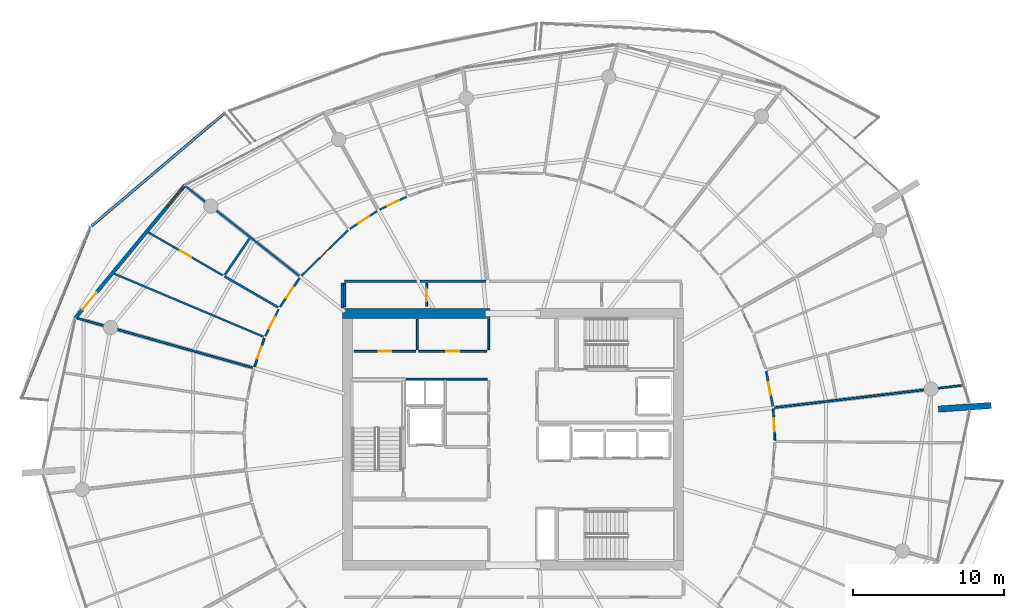
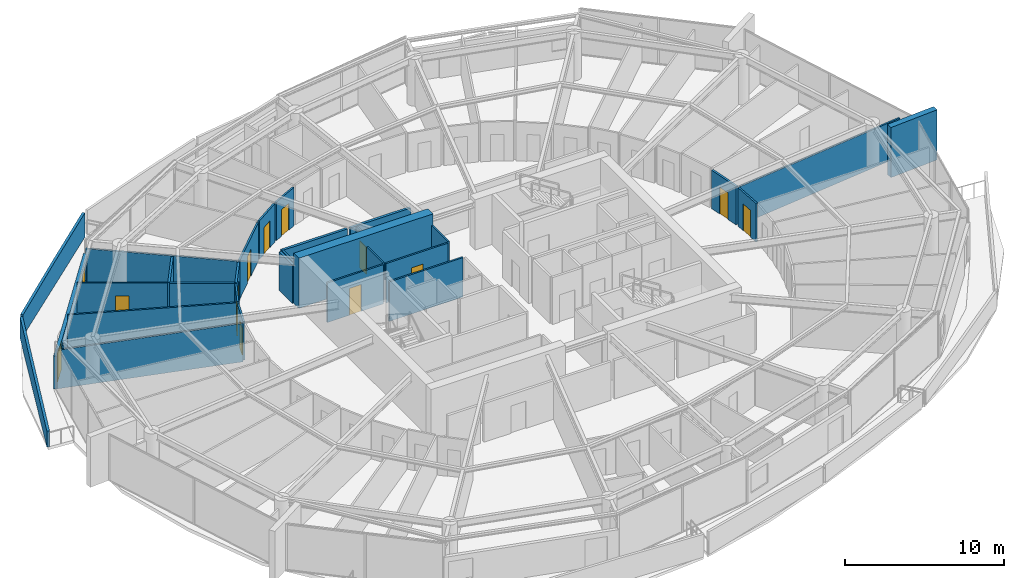
# One storey, part 22 of 31: 30 walls, 13 doors, 1 window, 14 openings.
"""IFC4 building model written with IfcOpenShell, lengths in metres."""

from ifc_helpers import new_model, si_unit, direction, frame, frame_2d, origin, place, context, subcontext, project, spatial, polyline, rectangle, outline, extrude, material, layer, layer_set, type_object, element, fill, save


model = new_model("IFC4")

# Units and contexts
model_context = context("Model", 3, precision=1e-05, world=origin(), true_north=direction((0.0, 1.0)))
body_context = subcontext(model_context, "Body", "Model", "MODEL_VIEW")
ifc_project = project(units=[si_unit("LENGTHUNIT", "METRE"), si_unit("AREAUNIT", "SQUARE_METRE"), si_unit("VOLUMEUNIT", "CUBIC_METRE"), si_unit("PLANEANGLEUNIT", "RADIAN"), si_unit("MASSUNIT", "GRAM", prefix="KILO")], contexts=[model_context])

# Site, building, storey
site_placement = place(None, origin())
site = spatial("IfcSite", under=ifc_project, at=site_placement, CompositionType="ELEMENT")
building_placement = place(site_placement, origin())
building = spatial("IfcBuilding", under=site, at=building_placement, Name="Kazma Halo Residences", CompositionType="ELEMENT")
storey_placement = place(building_placement, frame((0.0, 0.0, 271.35009765625)))
storey = spatial("IfcBuildingStorey", under=building, at=storey_placement, Name="L68", CompositionType="ELEMENT", Elevation=271.35009765625)

# Walls
ifc_material_1 = material(Name="White Concrete C50/60 Balustrade", Category="concrete")
ifc_layer_1 = layer(ifc_material_1, 0.179931640625)
ifc_layer_set_1 = layer_set([ifc_layer_1], Name="White Concrete C50/60 Balustrade")
wall_type_1 = type_object("IfcWallType", Name="WL-BAL-WAVE-180", PredefinedType="PARAPET", material=ifc_layer_set_1)
wall_1_placement = place(storey_placement, frame((29.34765625, 63.571044921875, 0.0), z_axis=(0.0, 0.0, 1.0), x_axis=(-0.762735629532, -0.646710413896, 0.0)))
element("IfcWall", 1, at=wall_1_placement, inside=storey, type_object=wall_type_1, Name="L68 white wave balustrade wall NW.1", PredefinedType="PARAPET", context=body_context, shape_type="SweptSolid", body=[
    extrude(outline(polyline([(0.0, 0.0), (11.53515625, 0.0), (11.53515625, 1.6318359375), (5.767578125, 1.7978515625), (0.0, 1.85986328125), (0.0, 0.0)])), frame((0.0, 0.08984375, 0.0), z_axis=(0.0, -1.0, 0.0), x_axis=(1.0, 0.0, 0.0)), (0.0, 0.0, 1.0), 0.179931640625),
])
wall_2_placement = place(storey_placement, frame((20.4130859375, 55.922119140625, 0.0), z_axis=(0.0, 0.0, 1.0), x_axis=(-0.374094279698, -0.927390678138, 0.0)))
element("IfcWall", 2, at=wall_2_placement, inside=storey, type_object=wall_type_1, Name="L68 white wave balustrade wall NW.2", PredefinedType="PARAPET", context=body_context, shape_type="SweptSolid", body=[
    extrude(outline(polyline([(0.0, 0.0), (12.07470703125, 0.0), (12.07470703125, 1.23291015625), (6.037353515625, 1.41796875), (0.0, 1.6318359375), (0.0, 0.0)])), frame((0.0, 0.08984375, 0.0), z_axis=(0.0, -1.0, 0.0), x_axis=(1.0, 0.0, 0.0)), (0.0, 0.0, 1.0), 0.179931640625),
])
ifc_material_2 = material(Name="Pale Concrete C60/75", Category="concrete")
ifc_layer_2 = layer(ifc_material_2, 0.419921875)
ifc_layer_set_2 = layer_set([ifc_layer_2], Name="Pale Concrete C60/75")
wall_type_2 = type_object("IfcWallType", Name="WL-BLADE-420", PredefinedType="SOLIDWALL", material=ifc_layer_set_2)
wall_3_placement = place(storey_placement, frame((76.5625, 43.997314453125, 0.0), z_axis=(0.0, 0.0, 1.0), x_axis=(0.997563824095, 0.069759707979, 0.0)))
element("IfcWall", 3, at=wall_3_placement, inside=storey, type_object=wall_type_2, Name="L68 pale concrete structural blade fin wall BW-04", PredefinedType="SOLIDWALL", context=body_context, shape_type="SweptSolid", body=[
    extrude(rectangle(XDim=3.499755859375, YDim=0.419921875, at=frame_2d((1.75, 0.0))), origin(), (0.0, 0.0, 1.0), 3.849853515625),
])
ifc_material_3 = material(Name="Concrete C60/75", Category="concrete")
ifc_layer_3 = layer(ifc_material_3, 0.64990234375)
ifc_layer_set_3 = layer_set([ifc_layer_3], Name="Concrete C60/75")
wall_type_3 = type_object("IfcWallType", Name="WL-CORE-650", PredefinedType="SHEAR", material=ifc_layer_set_3)
wall_4_placement = place(storey_placement, frame((37.14990234375, 50.324951171875, 0.0), z_axis=(0.0, 0.0, 1.0), x_axis=(1.0, 0.0, 0.0)))
element("IfcWall", 4, at=wall_4_placement, inside=storey, type_object=wall_type_3, Name="L68 central core shear wall NW", PredefinedType="SHEAR", context=body_context, shape_type="SweptSolid", body=[
    extrude(rectangle(XDim=9.75, YDim=0.64990234375, at=frame_2d((4.875, 0.0))), origin(), (0.0, 0.0, 1.0), 3.849853515625),
])
ifc_material_4 = material(Name="Acoustic Twin-Stud Gypsum")
ifc_layer_4 = layer(ifc_material_4, 0.179931640625)
ifc_layer_set_4 = layer_set([ifc_layer_4], Name="Acoustic Twin-Stud Gypsum")
wall_type_4 = type_object("IfcWallType", Name="WL-DEM-180", PredefinedType="PARTITIONING", material=ifc_layer_set_4)
wall_5_placement = place(storey_placement, frame((46.643310546875, 52.449951171875, 0.0), z_axis=(0.0, 0.0, 1.0), x_axis=(-1.0, 0.0, 0.0)))
element("IfcWall", 5, at=wall_5_placement, inside=storey, type_object=wall_type_4, Name="L68 Apartment 1 inner wall 3", PredefinedType="PARTITIONING", context=body_context, shape_type="SweptSolid", body=[
    extrude(rectangle(XDim=4.375732421875, YDim=0.179931640625, at=frame_2d((2.18798828125, 0.0))), origin(), (0.0, 0.0, 1.0), 2.956787109375),
])
wall_6_placement = place(storey_placement, frame((42.027587890625, 52.449951171875, 0.0), z_axis=(0.0, 0.0, 1.0), x_axis=(-1.0, 0.0, 0.0)))
element("IfcWall", 6, at=wall_6_placement, inside=storey, type_object=wall_type_4, Name="L68 Apartment 1 inner wall 4", PredefinedType="PARTITIONING", context=body_context, shape_type="SweptSolid", body=[
    extrude(rectangle(XDim=4.757568359375, YDim=0.179931640625, at=frame_2d((2.37890625, 0.0))), origin(), (0.0, 0.0, 1.0), 2.956787109375),
])
wall_7_placement = place(storey_placement, frame((37.14990234375, 52.330078125, 0.0), z_axis=(0.0, 0.0, 1.0), x_axis=(0.0, -1.0, 0.0)))
element("IfcWall", 7, at=wall_7_placement, inside=storey, type_object=wall_type_4, Name="L68 Apartment 1 inner wall 4", PredefinedType="PARTITIONING", context=body_context, shape_type="SweptSolid", body=[
    extrude(rectangle(XDim=1.656494140625, YDim=0.179931640625, at=frame_2d((0.828125, 0.0))), origin(), (0.0, 0.0, 1.0), 2.956787109375),
])

# Wall, openings, door, window
ifc_material_5 = material(Name="Insulated Pale-Metal Composite Wall")
ifc_layer_5 = layer(ifc_material_5, 0.239990234375)
ifc_layer_set_5 = layer_set([ifc_layer_5], Name="Insulated Pale-Metal Composite Wall")
wall_type_5 = type_object("IfcWallType", Name="WL-EXT-HOST-240", PredefinedType="SOLIDWALL", material=ifc_layer_set_5)
wall_8_placement = place(storey_placement, frame((26.7421875, 58.822021484375, 0.0), z_axis=(0.0, 0.0, 1.0), x_axis=(-0.636680093065, -0.771128043255, 0.0)))
wall_8 = element("IfcWall", 8, at=wall_8_placement, inside=storey, type_object=wall_type_5, Name="L68 exterior terrace-access wall B06", PredefinedType="SOLIDWALL", context=body_context, shape_type="SweptSolid", body=[
    extrude(rectangle(XDim=11.438232421875, YDim=0.239990234375, at=frame_2d((5.71923828125, 0.0))), origin(), (0.0, 0.0, 1.0), 2.539794921875),
])
opening_1_placement = place(wall_8_placement, frame((9.21826171875, 0.0, 0.0)))
opening_1 = element("IfcOpeningElement", 9, at=opening_1_placement, cuts=wall_8, Name="Opening DTR-1600", PredefinedType="OPENING", context=body_context, shape_type="SweptSolid", body=[
    extrude(rectangle(XDim=1.449951171875, YDim=2.14990234375, at=frame_2d((0.72509765625, 1.074951171875))), frame((0.0, 0.1298828125, 0.0), z_axis=(0.0, -1.0, 0.0), x_axis=(1.0, 0.0, 0.0)), (0.0, 0.0, 1.0), 0.260009765625),
])
opening_2_placement = place(wall_8_placement, frame((0.280029296875, 0.0, 0.64990234375)))
opening_2 = element("IfcOpeningElement", 10, at=opening_2_placement, cuts=wall_8, Name="Opening W-1800", PredefinedType="OPENING", context=body_context, shape_type="SweptSolid", body=[
    extrude(rectangle(XDim=1.60009765625, YDim=1.5, at=frame_2d((0.800048828125, 0.75))), frame((0.0, 0.1298828125, 0.0), z_axis=(0.0, -1.0, 0.0), x_axis=(1.0, 0.0, 0.0)), (0.0, 0.0, 1.0), 0.260009765625),
])
ifc_material_6 = material(Name="Aluminium AW-6063 T6 Double-Glazed Terrace Door", Category="aluminium")
door_type_1 = type_object("IfcDoorType", Name="DR-EXT-TERR-1600", OperationType="NOTDEFINED", PredefinedType="DOOR", material=ifc_material_6)
door_1_placement = place(opening_1_placement, origin())
door_1 = element("IfcDoor", 11, at=door_1_placement, inside=storey, type_object=door_type_1, Name="L68 B06 balcony terrace door", OperationType="DOUBLE_DOOR_SLIDING", OverallHeight=2.14990234375, OverallWidth=1.449951171875, PredefinedType="DOOR", context=body_context, shape_type="SweptSolid", body=[
    extrude(rectangle(XDim=1.449951171875, YDim=2.14990234375, at=frame_2d((0.72509765625, 1.074951171875))), frame((0.0, 0.02490234375, 0.0), z_axis=(0.0, -1.0, 0.0), x_axis=(1.0, 0.0, 0.0)), (0.0, 0.0, 1.0), 0.050048828125),
])
fill(opening_1, door_1)
ifc_material_7 = material(Name="Clear Triple-Silver Low-E Glass in Aluminium AW-6063 T6 Frame", Category="aluminium")
window_type = type_object("IfcWindowType", Name="WIN-RES-1800", PartitioningType="DOUBLE_PANEL_VERTICAL", PredefinedType="WINDOW", material=ifc_material_7)
window_placement = place(opening_2_placement, origin())
window = element("IfcWindow", 12, at=window_placement, inside=storey, type_object=window_type, Name="L68 B06 apartment window", OverallHeight=1.5, OverallWidth=1.60009765625, PartitioningType="SINGLE_PANEL", PredefinedType="WINDOW", context=body_context, shape_type="SweptSolid", body=[
    extrude(rectangle(XDim=1.60009765625, YDim=1.5, at=frame_2d((0.800048828125, 0.75))), frame((0.0, 0.030029296875, 0.0), z_axis=(0.0, -1.0, 0.0), x_axis=(1.0, 0.0, 0.0)), (0.0, 0.0, 1.0), 0.06005859375),
])
fill(opening_2, window)

# Walls
ifc_material_8 = material(Name="Gypsum Plasterboard Partition")
ifc_layer_6 = layer(ifc_material_8, 0.125)
ifc_layer_set_6 = layer_set([ifc_layer_6], Name="Gypsum Plasterboard Partition")
wall_type_6 = type_object("IfcWallType", Name="WL-PART-125", PredefinedType="PARTITIONING", material=ifc_layer_set_6)
for number, where, z_axis, x_axis, name in (
    (13, (46.820068359375, 47.919921875, 0.0), (0.0, 0.0, 1.0), (0.0, 1.0, 0.0), "L68 reclaimed north east wall"),
    (14, (42.10009765625, 47.919921875, 0.0), (0.0, 0.0, 1.0), (0.0, 1.0, 0.0), "L68 reclaimed north divider wall"),
):
    element("IfcWall", number, at=place(storey_placement, frame(where, z_axis=z_axis, x_axis=x_axis)), inside=storey, type_object=wall_type_6, Name=name, PredefinedType="PARTITIONING", context=body_context, shape_type="SweptSolid", body=[
        extrude(rectangle(XDim=2.030029296875, YDim=0.125, at=frame_2d((1.01513671875, 0.0))), origin(), (0.0, 0.0, 1.0), 3.02978515625),
    ])

# Wall, opening, door
wall_9_placement = place(storey_placement, frame((37.919921875, 47.820068359375, 0.0), z_axis=(0.0, 0.0, 1.0), x_axis=(1.0, 0.0, 0.0)))
wall_9 = element("IfcWall", 15, at=wall_9_placement, inside=storey, type_object=wall_type_6, Name="L68 reclaimed north W front wall", PredefinedType="PARTITIONING", context=body_context, shape_type="SweptSolid", body=[
    extrude(rectangle(XDim=4.080078125, YDim=0.125, at=frame_2d((2.0400390625, 0.0))), origin(), (0.0, 0.0, 1.0), 3.02978515625),
])
opening_3_placement = place(wall_9_placement, frame((1.614990234375, 0.0, 0.0)))
opening_3 = element("IfcOpeningElement", 16, at=opening_3_placement, cuts=wall_9, Name="Opening DS-850", PredefinedType="OPENING", context=body_context, shape_type="SweptSolid", body=[
    extrude(rectangle(XDim=0.85009765625, YDim=2.06005859375, at=frame_2d((0.425048828125, 1.030029296875))), frame((0.0, 0.072509765625, 0.0), z_axis=(0.0, -1.0, 0.0), x_axis=(1.0, 0.0, 0.0)), (0.0, 0.0, 1.0), 0.14501953125),
])
ifc_material_9 = material(Name="Painted Steel Access Leaf", Category="steel")
door_type_2 = type_object("IfcDoorType", Name="DR-SVC-850", OperationType="NOTDEFINED", PredefinedType="DOOR", material=ifc_material_9)
door_2_placement = place(opening_3_placement, origin())
door_2 = element("IfcDoor", 17, at=door_2_placement, inside=storey, type_object=door_type_2, Name="L68 reclaimed north W door", OperationType="SINGLE_SWING_RIGHT", OverallHeight=2.06005859375, OverallWidth=0.85009765625, PredefinedType="DOOR", context=body_context, shape_type="SweptSolid", body=[
    extrude(rectangle(XDim=0.85009765625, YDim=2.06005859375, at=frame_2d((0.425048828125, 1.030029296875))), frame((0.0, 0.02490234375, 0.0), z_axis=(0.0, -1.0, 0.0), x_axis=(1.0, 0.0, 0.0)), (0.0, 0.0, 1.0), 0.050048828125),
])
fill(opening_3, door_2)

wall_10_placement = place(storey_placement, frame((42.199951171875, 47.820068359375, 0.0), z_axis=(0.0, 0.0, 1.0), x_axis=(1.0, 0.0, 0.0)))
wall_10 = element("IfcWall", 18, at=wall_10_placement, inside=storey, type_object=wall_type_6, Name="L68 reclaimed north E front wall", PredefinedType="PARTITIONING", context=body_context, shape_type="SweptSolid", body=[
    extrude(rectangle(XDim=4.5, YDim=0.125, at=frame_2d((2.25, 0.0))), origin(), (0.0, 0.0, 1.0), 3.02978515625),
])
opening_4_placement = place(wall_10_placement, frame((1.824951171875, 0.0, 0.0)))
opening_4 = element("IfcOpeningElement", 19, at=opening_4_placement, cuts=wall_10, Name="Opening DS-850", PredefinedType="OPENING", context=body_context, shape_type="SweptSolid", body=[
    extrude(rectangle(XDim=0.85009765625, YDim=2.06005859375, at=frame_2d((0.425048828125, 1.030029296875))), frame((0.0, 0.072509765625, 0.0), z_axis=(0.0, -1.0, 0.0), x_axis=(1.0, 0.0, 0.0)), (0.0, 0.0, 1.0), 0.14501953125),
])
door_3_placement = place(opening_4_placement, origin())
door_3 = element("IfcDoor", 20, at=door_3_placement, inside=storey, type_object=door_type_2, Name="L68 reclaimed north E door", OperationType="SINGLE_SWING_LEFT", OverallHeight=2.06005859375, OverallWidth=0.85009765625, PredefinedType="DOOR", context=body_context, shape_type="SweptSolid", body=[
    extrude(rectangle(XDim=0.85009765625, YDim=2.06005859375, at=frame_2d((0.425048828125, 1.030029296875))), frame((0.0, 0.02490234375, 0.0), z_axis=(0.0, -1.0, 0.0), x_axis=(1.0, 0.0, 0.0)), (0.0, 0.0, 1.0), 0.050048828125),
])
fill(opening_4, door_3)

# Walls
wall_11_placement = place(storey_placement, frame((41.360107421875, 45.97998046875, 0.0), z_axis=(0.0, 0.0, 1.0), x_axis=(1.0, 0.0, 0.0)))
element("IfcWall", 21, at=wall_11_placement, inside=storey, type_object=wall_type_6, Name="L68 core north riser wall", PredefinedType="PARTITIONING", context=body_context, shape_type="SweptSolid", body=[
    extrude(rectangle(XDim=5.35986328125, YDim=0.125, at=frame_2d((2.679931640625, 0.0))), origin(), (0.0, 0.0, 1.0), 3.02978515625),
])
wall_12_placement = place(storey_placement, frame((37.2900390625, 50.77001953125, 0.0), z_axis=(0.0, 0.0, 1.0), x_axis=(0.0, 1.0, 0.0)))
element("IfcWall", 22, at=wall_12_placement, inside=storey, type_object=wall_type_6, Name="L68 west linen end wall", PredefinedType="PARTITIONING", context=body_context, shape_type="SweptSolid", body=[
    extrude(rectangle(XDim=1.5400390625, YDim=0.125, at=frame_2d((0.77001953125, 0.0))), origin(), (0.0, 0.0, 1.0), 3.02978515625),
])

# Wall, opening, door
wall_13_placement = place(storey_placement, frame((42.7099609375, 50.7900390625, 0.0), z_axis=(0.0, 0.0, 1.0), x_axis=(0.0, 1.0, 0.0)))
wall_13 = element("IfcWall", 23, at=wall_13_placement, inside=storey, type_object=wall_type_6, Name="L68 floor linen store door wall", PredefinedType="PARTITIONING", context=body_context, shape_type="SweptSolid", body=[
    extrude(rectangle(XDim=1.52001953125, YDim=0.125, at=frame_2d((0.760009765625, 0.0))), origin(), (0.0, 0.0, 1.0), 2.956787109375),
])
opening_5_placement = place(wall_13_placement, frame((0.3349609375, 0.0, 0.0)))
opening_5 = element("IfcOpeningElement", 24, at=opening_5_placement, cuts=wall_13, Name="Opening DS-850", PredefinedType="OPENING", context=body_context, shape_type="SweptSolid", body=[
    extrude(rectangle(XDim=0.85009765625, YDim=2.06005859375, at=frame_2d((0.425048828125, 1.030029296875))), frame((0.0, 0.072509765625, 0.0), z_axis=(0.0, -1.0, 0.0), x_axis=(1.0, 0.0, 0.0)), (0.0, 0.0, 1.0), 0.14501953125),
])
door_4_placement = place(opening_5_placement, origin())
door_4 = element("IfcDoor", 25, at=door_4_placement, inside=storey, type_object=door_type_2, Name="L68 floor linen store door", OperationType="SINGLE_SWING_LEFT", OverallHeight=2.06005859375, OverallWidth=0.85009765625, PredefinedType="DOOR", context=body_context, shape_type="SweptSolid", body=[
    extrude(rectangle(XDim=0.85009765625, YDim=2.06005859375, at=frame_2d((0.425048828125, 1.030029296875))), frame((0.0, 0.02490234375, 0.0), z_axis=(0.0, -1.0, 0.0), x_axis=(1.0, 0.0, 0.0)), (0.0, 0.0, 1.0), 0.050048828125),
])
fill(opening_5, door_4)

wall_14_placement = place(storey_placement, frame((41.39111328125, 58.052001953125, 0.0), z_axis=(0.0, 0.0, 1.0), x_axis=(-0.901197816095, -0.433408002079, 0.0)))
wall_14 = element("IfcWall", 26, at=wall_14_placement, inside=storey, type_object=wall_type_6, Name="L68 Apartment 1 Primary Bedroom hall wall", PredefinedType="PARTITIONING", context=body_context, shape_type="SweptSolid", body=[
    extrude(rectangle(XDim=1.981201171875, YDim=0.125, at=frame_2d((0.99072265625, 0.0))), origin(), (0.0, 0.0, 1.0), 2.956787109375),
])
opening_6_placement = place(wall_14_placement, frame((0.5654296875, 0.0, 0.0)))
opening_6 = element("IfcOpeningElement", 27, at=opening_6_placement, cuts=wall_14, Name="Opening DB-900", PredefinedType="OPENING", context=body_context, shape_type="SweptSolid", body=[
    extrude(rectangle(XDim=0.85009765625, YDim=2.06005859375, at=frame_2d((0.425048828125, 1.030029296875))), frame((0.0, 0.072509765625, 0.0), z_axis=(0.0, -1.0, 0.0), x_axis=(1.0, 0.0, 0.0)), (0.0, 0.0, 1.0), 0.14501953125),
])
ifc_material_10 = material(Name="Moisture-Sealed Timber Leaf", Category="wood")
door_type_3 = type_object("IfcDoorType", Name="DR-BTH-900", OperationType="NOTDEFINED", PredefinedType="DOOR", material=ifc_material_10)
door_5_placement = place(opening_6_placement, origin())
door_5 = element("IfcDoor", 28, at=door_5_placement, inside=storey, type_object=door_type_3, Name="L68 Apartment 1 Primary Bedroom door", OperationType="SINGLE_SWING_LEFT", OverallHeight=2.06005859375, OverallWidth=0.85009765625, PredefinedType="DOOR", context=body_context, shape_type="SweptSolid", body=[
    extrude(rectangle(XDim=0.85009765625, YDim=2.06005859375, at=frame_2d((0.425048828125, 1.030029296875))), frame((0.0, 0.02490234375, 0.0), z_axis=(0.0, -1.0, 0.0), x_axis=(1.0, 0.0, 0.0)), (0.0, 0.0, 1.0), 0.050048828125),
])
fill(opening_6, door_5)

wall_15_placement = place(storey_placement, frame((39.431884765625, 57.095458984375, 0.0), z_axis=(0.0, 0.0, 1.0), x_axis=(-0.837734795217, -0.546077295703, 0.0)))
wall_15 = element("IfcWall", 29, at=wall_15_placement, inside=storey, type_object=wall_type_6, Name="L68 Apartment 1 Primary Bedroom hall wall", PredefinedType="PARTITIONING", context=body_context, shape_type="SweptSolid", body=[
    extrude(rectangle(XDim=2.150390625, YDim=0.125, at=frame_2d((1.0751953125, 0.0))), origin(), (0.0, 0.0, 1.0), 2.956787109375),
])
opening_7_placement = place(wall_15_placement, frame((0.650146484375, 0.0, 0.0)))
opening_7 = element("IfcOpeningElement", 30, at=opening_7_placement, cuts=wall_15, Name="Opening DB-900", PredefinedType="OPENING", context=body_context, shape_type="SweptSolid", body=[
    extrude(rectangle(XDim=0.85009765625, YDim=2.06005859375, at=frame_2d((0.425048828125, 1.030029296875))), frame((0.0, 0.072509765625, 0.0), z_axis=(0.0, -1.0, 0.0), x_axis=(1.0, 0.0, 0.0)), (0.0, 0.0, 1.0), 0.14501953125),
])
door_6_placement = place(opening_7_placement, origin())
door_6 = element("IfcDoor", 31, at=door_6_placement, inside=storey, type_object=door_type_3, Name="L68 Apartment 1 Primary Bedroom door", OperationType="SINGLE_SWING_LEFT", OverallHeight=2.06005859375, OverallWidth=0.85009765625, PredefinedType="DOOR", context=body_context, shape_type="SweptSolid", body=[
    extrude(rectangle(XDim=0.85009765625, YDim=2.06005859375, at=frame_2d((0.425048828125, 1.030029296875))), frame((0.0, 0.02490234375, 0.0), z_axis=(0.0, -1.0, 0.0), x_axis=(1.0, 0.0, 0.0)), (0.0, 0.0, 1.0), 0.050048828125),
])
fill(opening_7, door_6)

wall_16_placement = place(storey_placement, frame((37.506103515625, 55.821533203125, 0.0), z_axis=(0.0, 0.0, 1.0), x_axis=(-0.715105814901, -0.699016218334, 0.0)))
wall_16 = element("IfcWall", 32, at=wall_16_placement, inside=storey, type_object=wall_type_6, Name="L68 Apartment 1 Secondary Master Bedroom hall wall", PredefinedType="PARTITIONING", context=body_context, shape_type="SweptSolid", body=[
    extrude(rectangle(XDim=4.294189453125, YDim=0.125, at=frame_2d((2.14697265625, 0.0))), origin(), (0.0, 0.0, 1.0), 2.956787109375),
])
opening_8_placement = place(wall_16_placement, frame((1.697265625, 0.0, 0.0)))
opening_8 = element("IfcOpeningElement", 33, at=opening_8_placement, cuts=wall_16, Name="Opening DI-950", PredefinedType="OPENING", context=body_context, shape_type="SweptSolid", body=[
    extrude(rectangle(XDim=0.89990234375, YDim=2.080078125, at=frame_2d((0.449951171875, 1.0400390625))), frame((0.0, 0.072509765625, 0.0), z_axis=(0.0, -1.0, 0.0), x_axis=(1.0, 0.0, 0.0)), (0.0, 0.0, 1.0), 0.14501953125),
])
ifc_material_11 = material(Name="Timber Veneer Flush Leaf", Category="wood")
door_type_4 = type_object("IfcDoorType", Name="DR-INT-950", OperationType="NOTDEFINED", PredefinedType="DOOR", material=ifc_material_11)
door_7_placement = place(opening_8_placement, origin())
door_7 = element("IfcDoor", 34, at=door_7_placement, inside=storey, type_object=door_type_4, Name="L68 Apartment 1 Secondary Master Bedroom door", OperationType="SINGLE_SWING_RIGHT", OverallHeight=2.080078125, OverallWidth=0.89990234375, PredefinedType="DOOR", context=body_context, shape_type="SweptSolid", body=[
    extrude(rectangle(XDim=0.89990234375, YDim=2.080078125, at=frame_2d((0.449951171875, 1.0400390625))), frame((0.0, 0.02490234375, 0.0), z_axis=(0.0, -1.0, 0.0), x_axis=(1.0, 0.0, 0.0)), (0.0, 0.0, 1.0), 0.050048828125),
])
fill(opening_8, door_7)

# Wall
wall_17_placement = place(storey_placement, frame((34.285400390625, 52.811767578125, 0.0), z_axis=(0.0, 0.0, 1.0), x_axis=(-0.785324921183, 0.619083813526, 0.0)))
element("IfcWall", 35, at=wall_17_placement, inside=storey, type_object=wall_type_6, Name="L68 Apartment 1 radial partition 5", PredefinedType="PARTITIONING", context=body_context, shape_type="SweptSolid", body=[
    extrude(rectangle(XDim=9.620849609375, YDim=0.125, at=frame_2d((4.810546875, 0.0))), origin(), (0.0, 0.0, 1.0), 2.956787109375),
])

# Wall, opening, door
wall_18_placement = place(storey_placement, frame((29.232666015625, 52.841796875, 0.0), z_axis=(0.0, 0.0, 1.0), x_axis=(-0.865885749935, 0.500241809588, 0.0)))
wall_18 = element("IfcWall", 36, at=wall_18_placement, inside=storey, type_object=wall_type_6, Name="L68 Apartment 1 West Walk-In Wardrobe partition wall", PredefinedType="PARTITIONING", context=body_context, shape_type="SweptSolid", body=[
    extrude(rectangle(XDim=5.682861328125, YDim=0.125, at=frame_2d((2.84130859375, 0.0))), origin(), (0.0, 0.0, 1.0), 3.02978515625),
])
opening_9_placement = place(wall_18_placement, frame((2.41650390625, 0.0, 0.0)))
opening_9 = element("IfcOpeningElement", 37, at=opening_9_placement, cuts=wall_18, Name="Opening DB-900", PredefinedType="OPENING", context=body_context, shape_type="SweptSolid", body=[
    extrude(rectangle(XDim=0.85009765625, YDim=2.06005859375, at=frame_2d((0.425048828125, 1.030029296875))), frame((0.0, 0.072509765625, 0.0), z_axis=(0.0, -1.0, 0.0), x_axis=(1.0, 0.0, 0.0)), (0.0, 0.0, 1.0), 0.14501953125),
])
door_8_placement = place(opening_9_placement, origin())
door_8 = element("IfcDoor", 38, at=door_8_placement, inside=storey, type_object=door_type_3, Name="L68 Apartment 1 West Walk-In Wardrobe door", OperationType="SINGLE_SWING_LEFT", OverallHeight=2.06005859375, OverallWidth=0.85009765625, PredefinedType="DOOR", context=body_context, shape_type="SweptSolid", body=[
    extrude(rectangle(XDim=0.85009765625, YDim=2.06005859375, at=frame_2d((0.425048828125, 1.030029296875))), frame((0.0, 0.02490234375, 0.0), z_axis=(0.0, -1.0, 0.0), x_axis=(1.0, 0.0, 0.0)), (0.0, 0.0, 1.0), 0.050048828125),
])
fill(opening_9, door_8)

# Wall
wall_19_placement = place(storey_placement, frame((31.919677734375, 48.786865234375, 0.0), z_axis=(0.0, 0.0, 1.0), x_axis=(-0.92130726737, 0.388835336731, 0.0)))
element("IfcWall", 39, at=wall_19_placement, inside=storey, type_object=wall_type_6, Name="L68 Apartment 1 suite divider 5", PredefinedType="PARTITIONING", context=body_context, shape_type="SweptSolid", body=[
    extrude(rectangle(XDim=10.711669921875, YDim=0.125, at=frame_2d((5.35595703125, 0.0))), origin(), (0.0, 0.0, 1.0), 3.02978515625),
])

# Wall, opening, door
wall_20_placement = place(storey_placement, frame((32.924560546875, 50.605224609375, 0.0), z_axis=(0.0, 0.0, 1.0), x_axis=(-0.445446150764, -0.895308732656, 0.0)))
wall_20 = element("IfcWall", 40, at=wall_20_placement, inside=storey, type_object=wall_type_6, Name="L68 Apartment 1 North Private Study hall wall", PredefinedType="PARTITIONING", context=body_context, shape_type="SweptSolid", body=[
    extrude(rectangle(XDim=1.989990234375, YDim=0.125, at=frame_2d((0.9951171875, 0.0))), origin(), (0.0, 0.0, 1.0), 3.02978515625),
])
opening_10_placement = place(wall_20_placement, frame((0.570068359375, 0.0, 0.0)))
opening_10 = element("IfcOpeningElement", 41, at=opening_10_placement, cuts=wall_20, Name="Opening DB-900", PredefinedType="OPENING", context=body_context, shape_type="SweptSolid", body=[
    extrude(rectangle(XDim=0.85009765625, YDim=2.06005859375, at=frame_2d((0.425048828125, 1.030029296875))), frame((0.0, 0.072509765625, 0.0), z_axis=(0.0, -1.0, 0.0), x_axis=(1.0, 0.0, 0.0)), (0.0, 0.0, 1.0), 0.14501953125),
])
door_9_placement = place(opening_10_placement, origin())
door_9 = element("IfcDoor", 42, at=door_9_placement, inside=storey, type_object=door_type_3, Name="L68 Apartment 1 North Private Study door", OperationType="SINGLE_SWING_RIGHT", OverallHeight=2.06005859375, OverallWidth=0.85009765625, PredefinedType="DOOR", context=body_context, shape_type="SweptSolid", body=[
    extrude(rectangle(XDim=0.85009765625, YDim=2.06005859375, at=frame_2d((0.425048828125, 1.030029296875))), frame((0.0, 0.02490234375, 0.0), z_axis=(0.0, -1.0, 0.0), x_axis=(1.0, 0.0, 0.0)), (0.0, 0.0, 1.0), 0.050048828125),
])
fill(opening_10, door_9)

wall_21_placement = place(storey_placement, frame((31.97607421875, 48.676513671875, 0.0), z_axis=(0.0, 0.0, 1.0), x_axis=(-0.330762244327, -0.943714118644, 0.0)))
wall_21 = element("IfcWall", 43, at=wall_21_placement, inside=storey, type_object=wall_type_6, Name="L68 Apartment 1 South Master Bedroom hall wall", PredefinedType="PARTITIONING", context=body_context, shape_type="SweptSolid", body=[
    extrude(rectangle(XDim=1.98046875, YDim=0.125, at=frame_2d((0.990234375, 0.0))), origin(), (0.0, 0.0, 1.0), 2.956787109375),
])
opening_11_placement = place(wall_21_placement, frame((0.565185546875, 0.0, 0.0)))
opening_11 = element("IfcOpeningElement", 44, at=opening_11_placement, cuts=wall_21, Name="Opening DB-900", PredefinedType="OPENING", context=body_context, shape_type="SweptSolid", body=[
    extrude(rectangle(XDim=0.85009765625, YDim=2.06005859375, at=frame_2d((0.425048828125, 1.030029296875))), frame((0.0, 0.072509765625, 0.0), z_axis=(0.0, -1.0, 0.0), x_axis=(1.0, 0.0, 0.0)), (0.0, 0.0, 1.0), 0.14501953125),
])
door_10_placement = place(opening_11_placement, origin())
door_10 = element("IfcDoor", 45, at=door_10_placement, inside=storey, type_object=door_type_3, Name="L68 Apartment 1 South Master Bedroom door", OperationType="SINGLE_SWING_LEFT", OverallHeight=2.06005859375, OverallWidth=0.85009765625, PredefinedType="DOOR", context=body_context, shape_type="SweptSolid", body=[
    extrude(rectangle(XDim=0.85009765625, YDim=2.06005859375, at=frame_2d((0.425048828125, 1.030029296875))), frame((0.0, 0.02490234375, 0.0), z_axis=(0.0, -1.0, 0.0), x_axis=(1.0, 0.0, 0.0)), (0.0, 0.0, 1.0), 0.050048828125),
])
fill(opening_11, door_10)

# Wall
wall_22_placement = place(storey_placement, frame((31.191650390625, 46.740478515625, 0.0), z_axis=(0.0, 0.0, 1.0), x_axis=(-0.962454841417, 0.271441850554, 0.0)))
element("IfcWall", 46, at=wall_22_placement, inside=storey, type_object=wall_type_6, Name="L68 Apartment 1 radial partition 6", PredefinedType="PARTITIONING", context=body_context, shape_type="SweptSolid", body=[
    extrude(rectangle(XDim=12.031494140625, YDim=0.125, at=frame_2d((6.015625, 0.0))), origin(), (0.0, 0.0, 1.0), 2.956787109375),
])

# Wall, opening, door
wall_23_placement = place(storey_placement, frame((65.752197265625, 41.9404296875, 0.0), z_axis=(0.0, 0.0, 1.0), x_axis=(-0.055084577693, 0.998481692021, 0.0)))
wall_23 = element("IfcWall", 47, at=wall_23_placement, inside=storey, type_object=wall_type_6, Name="L68 Apartment 2 Garden Master Bedroom hall wall", PredefinedType="PARTITIONING", context=body_context, shape_type="SweptSolid", body=[
    extrude(rectangle(XDim=2.06982421875, YDim=0.125, at=frame_2d((1.034912109375, 0.0))), origin(), (0.0, 0.0, 1.0), 2.956787109375),
])
opening_12_placement = place(wall_23_placement, frame((0.610107421875, 0.0, 0.0)))
opening_12 = element("IfcOpeningElement", 48, at=opening_12_placement, cuts=wall_23, Name="Opening DB-900", PredefinedType="OPENING", context=body_context, shape_type="SweptSolid", body=[
    extrude(rectangle(XDim=0.85009765625, YDim=2.06005859375, at=frame_2d((0.425048828125, 1.030029296875))), frame((0.0, 0.072509765625, 0.0), z_axis=(0.0, -1.0, 0.0), x_axis=(1.0, 0.0, 0.0)), (0.0, 0.0, 1.0), 0.14501953125),
])
door_11_placement = place(opening_12_placement, origin())
door_11 = element("IfcDoor", 49, at=door_11_placement, inside=storey, type_object=door_type_3, Name="L68 Apartment 2 Garden Master Bedroom door", OperationType="SINGLE_SWING_RIGHT", OverallHeight=2.06005859375, OverallWidth=0.85009765625, PredefinedType="DOOR", context=body_context, shape_type="SweptSolid", body=[
    extrude(rectangle(XDim=0.85009765625, YDim=2.06005859375, at=frame_2d((0.425048828125, 1.030029296875))), frame((0.0, 0.02490234375, 0.0), z_axis=(0.0, -1.0, 0.0), x_axis=(1.0, 0.0, 0.0)), (0.0, 0.0, 1.0), 0.050048828125),
])
fill(opening_12, door_11)

# Wall
wall_24_placement = place(storey_placement, frame((65.733154296875, 44.098876953125, 0.0), z_axis=(0.0, 0.0, 1.0), x_axis=(0.99306831242, 0.117538618625, 0.0)))
element("IfcWall", 50, at=wall_24_placement, inside=storey, type_object=wall_type_6, Name="L68 Apartment 2 radial partition 15", PredefinedType="PARTITIONING", context=body_context, shape_type="SweptSolid", body=[
    extrude(rectangle(XDim=12.57275390625, YDim=0.125, at=frame_2d((6.286376953125, 0.0))), origin(), (0.0, 0.0, 1.0), 2.956787109375),
])

# Wall, opening, door
ifc_material_12 = material(Name="Moisture-Resistant Gypsum")
ifc_layer_7 = layer(ifc_material_12, 0.14990234375)
ifc_layer_set_7 = layer_set([ifc_layer_7], Name="Moisture-Resistant Gypsum")
wall_type_7 = type_object("IfcWallType", Name="WL-WET-150", PredefinedType="PARTITIONING", material=ifc_layer_set_7)
wall_25_placement = place(storey_placement, frame((34.3076171875, 52.6669921875, 0.0), z_axis=(0.0, 0.0, 1.0), x_axis=(-0.561141072409, -0.827720180288, 0.0)))
wall_25 = element("IfcWall", 51, at=wall_25_placement, inside=storey, type_object=wall_type_7, Name="L68 Apartment 1 East En-Suite Bathroom hall wall", PredefinedType="PARTITIONING", context=body_context, shape_type="SweptSolid", body=[
    extrude(rectangle(XDim=2.30322265625, YDim=0.14990234375, at=frame_2d((1.151611328125, 0.0))), origin(), (0.0, 0.0, 1.0), 2.956787109375),
])
opening_13_placement = place(wall_25_placement, frame((0.726806640625, 0.0, 0.0)))
opening_13 = element("IfcOpeningElement", 52, at=opening_13_placement, cuts=wall_25, Name="Opening DB-900", PredefinedType="OPENING", context=body_context, shape_type="SweptSolid", body=[
    extrude(rectangle(XDim=0.85009765625, YDim=2.06005859375, at=frame_2d((0.425048828125, 1.030029296875))), frame((0.0, 0.0849609375, 0.0), z_axis=(0.0, -1.0, 0.0), x_axis=(1.0, 0.0, 0.0)), (0.0, 0.0, 1.0), 0.169921875),
])
door_12_placement = place(opening_13_placement, origin())
door_12 = element("IfcDoor", 53, at=door_12_placement, inside=storey, type_object=door_type_3, Name="L68 Apartment 1 East En-Suite Bathroom door", OperationType="SINGLE_SWING_RIGHT", OverallHeight=2.06005859375, OverallWidth=0.85009765625, PredefinedType="DOOR", context=body_context, shape_type="SweptSolid", body=[
    extrude(rectangle(XDim=0.85009765625, YDim=2.06005859375, at=frame_2d((0.425048828125, 1.030029296875))), frame((0.0, 0.02490234375, 0.0), z_axis=(0.0, -1.0, 0.0), x_axis=(1.0, 0.0, 0.0)), (0.0, 0.0, 1.0), 0.050048828125),
])
fill(opening_13, door_12)

# Walls
wall_26_placement = place(storey_placement, frame((30.99365234375, 55.27978515625, 0.0), z_axis=(0.0, 0.0, 1.0), x_axis=(-0.561093021969, -0.827752753361, 0.0)))
element("IfcWall", 54, at=wall_26_placement, inside=storey, type_object=wall_type_7, Name="L68 Apartment 1 East En-Suite Bathroom back wall", PredefinedType="PARTITIONING", context=body_context, shape_type="SweptSolid", body=[
    extrude(rectangle(XDim=2.90966796875, YDim=0.14990234375, at=frame_2d((1.454833984375, 0.0))), origin(), (0.0, 0.0, 1.0), 2.956787109375),
])
wall_27_placement = place(storey_placement, frame((32.88671875, 50.73095703125, 0.0), z_axis=(0.0, 0.0, 1.0), x_axis=(-0.865897249189, 0.500221904605, 0.0)))
element("IfcWall", 55, at=wall_27_placement, inside=storey, type_object=wall_type_7, Name="L68 Apartment 1 East En-Suite Bathroom side wall", PredefinedType="PARTITIONING", context=body_context, shape_type="SweptSolid", body=[
    extrude(rectangle(XDim=4.090087890625, YDim=0.14990234375, at=frame_2d((2.044921875, 0.0))), origin(), (0.0, 0.0, 1.0), 3.02978515625),
])

# Wall, opening, door
wall_28_placement = place(storey_placement, frame((65.614990234375, 44.185302734375, 0.0), z_axis=(0.0, 0.0, 1.0), x_axis=(-0.188490536313, 0.982075006158, 0.0)))
wall_28 = element("IfcWall", 56, at=wall_28_placement, inside=storey, type_object=wall_type_7, Name="L68 Apartment 2 Sky En-Suite Bathroom hall wall", PredefinedType="PARTITIONING", context=body_context, shape_type="SweptSolid", body=[
    extrude(rectangle(XDim=2.35986328125, YDim=0.14990234375, at=frame_2d((1.179931640625, 0.0))), origin(), (0.0, 0.0, 1.0), 2.956787109375),
])
opening_14_placement = place(wall_28_placement, frame((0.7548828125, 0.0, 0.0)))
opening_14 = element("IfcOpeningElement", 57, at=opening_14_placement, cuts=wall_28, Name="Opening DB-900", PredefinedType="OPENING", context=body_context, shape_type="SweptSolid", body=[
    extrude(rectangle(XDim=0.85009765625, YDim=2.06005859375, at=frame_2d((0.425048828125, 1.030029296875))), frame((0.0, 0.0849609375, 0.0), z_axis=(0.0, -1.0, 0.0), x_axis=(1.0, 0.0, 0.0)), (0.0, 0.0, 1.0), 0.169921875),
])
door_13_placement = place(opening_14_placement, origin())
door_13 = element("IfcDoor", 58, at=door_13_placement, inside=storey, type_object=door_type_3, Name="L68 Apartment 2 Sky En-Suite Bathroom door", OperationType="SINGLE_SWING_RIGHT", OverallHeight=2.06005859375, OverallWidth=0.85009765625, PredefinedType="DOOR", context=body_context, shape_type="SweptSolid", body=[
    extrude(rectangle(XDim=0.85009765625, YDim=2.06005859375, at=frame_2d((0.425048828125, 1.030029296875))), frame((0.0, 0.02490234375, 0.0), z_axis=(0.0, -1.0, 0.0), x_axis=(1.0, 0.0, 0.0)), (0.0, 0.0, 1.0), 0.050048828125),
])
fill(opening_14, door_13)

save(model, "model.ifc")
